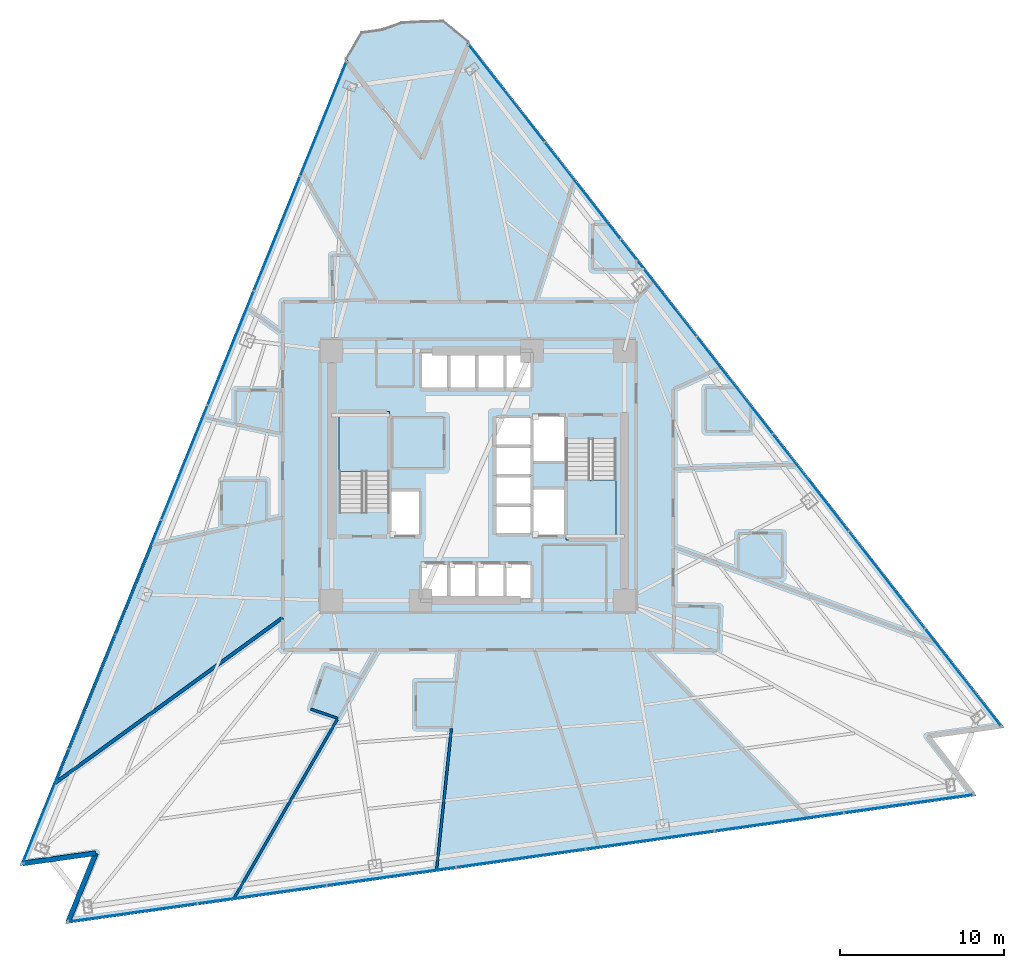
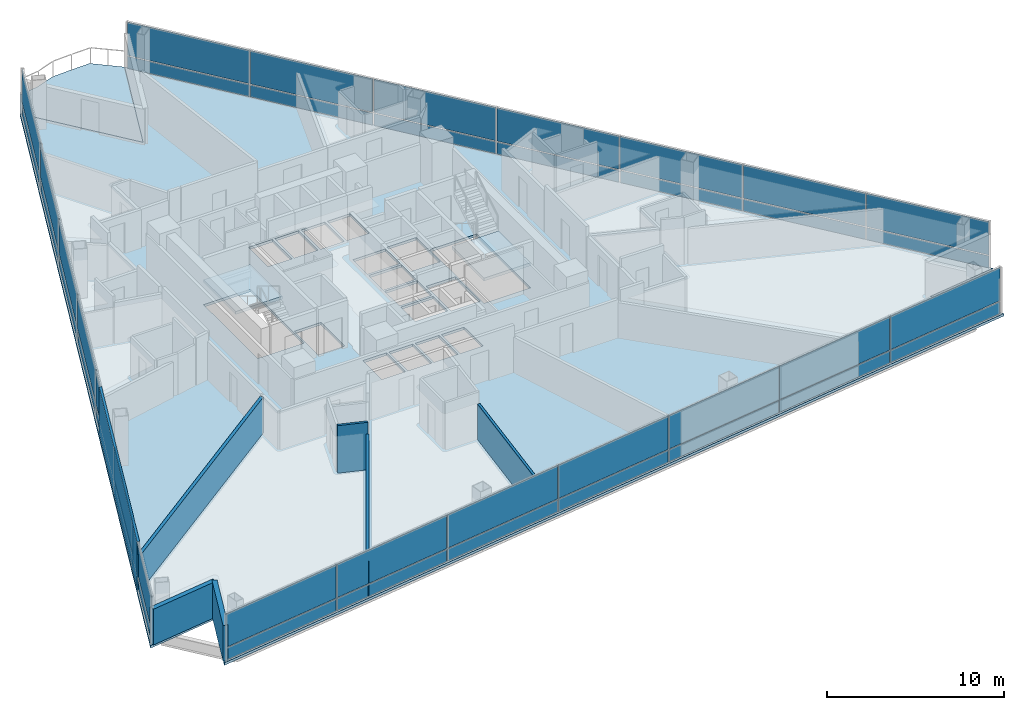
# One storey, part 6 of 15: 42 plates, 7 walls, 4 slabs, 5 elements without a shape of their own.
"""IFC4 building model written with IfcOpenShell, lengths in metres."""

from ifc_helpers import new_model, si_unit, direction, frame, frame_2d, origin, origin_2d, place, context, subcontext, project, spatial, polyline, rectangle, outline, extrude, material, layer, layer_set, type_object, element, aggregate, save


model = new_model("IFC4")

# Units and contexts
model_context = context("Model", 3, precision=1e-05, world=origin(), true_north=direction((0.0, 1.0)))
body_context = subcontext(model_context, "Body", "Model", "MODEL_VIEW")
ifc_project = project(units=[si_unit("LENGTHUNIT", "METRE"), si_unit("AREAUNIT", "SQUARE_METRE"), si_unit("VOLUMEUNIT", "CUBIC_METRE"), si_unit("PLANEANGLEUNIT", "RADIAN"), si_unit("MASSUNIT", "GRAM", prefix="KILO")], contexts=[model_context])

# Site, building, storey
site_placement = place(None, origin())
site = spatial("IfcSite", under=ifc_project, at=site_placement, CompositionType="ELEMENT")
building_placement = place(site_placement, origin())
building = spatial("IfcBuilding", under=site, at=building_placement, Name="Tharavind Bronze Gate", CompositionType="ELEMENT")
storey_placement = place(building_placement, frame((0.0, 0.0, 63.85009765625)))
storey = spatial("IfcBuildingStorey", under=building, at=storey_placement, Name="L15", CompositionType="ELEMENT", Elevation=63.85009765625)

# Curtain wall, plates
ifc_material_1 = material(Name="Anodised Bronze Aluminium", Category="aluminium")
ifc_layer_1 = layer(ifc_material_1, 0.219970703125)
ifc_layer_set_1 = layer_set([ifc_layer_1], Name="Anodised Bronze Aluminium")
curtain_wall_type = type_object("IfcCurtainWallType", Name="UNITISED CURTAIN WALL HOTEL", PredefinedType="USERDEFINED", material=ifc_layer_set_1)
curtain_wall_1_placement = place(storey_placement, origin())
curtain_wall_1 = element("IfcCurtainWall", 1, at=curtain_wall_1_placement, inside=storey, type_object=curtain_wall_type, Name="L15 unitised curtain wall hotel CW-L15-S1", ObjectType="UNITISED CURTAIN WALL", PredefinedType="USERDEFINED")
ifc_material_2 = material(Name="Patinated Bronze Alloy Sheet", Category="bronze")
ifc_layer_2 = layer(ifc_material_2, 0.01611328125)
ifc_layer_set_2 = layer_set([ifc_layer_2], Name="Patinated Bronze Alloy Sheet")
plate_type_1 = type_object("IfcPlateType", Name="BRONZE SPANDREL CLADDING PANEL 16", PredefinedType="CURTAIN_PANEL", material=ifc_layer_set_2)
plate_1_placement = place(storey_placement, frame((-9.408203125, 21.69921875, 0.033935546875), z_axis=(0.0, 0.0, 1.0), x_axis=(-0.374606593416, -0.927183854567, 0.0)))
plate_1 = element("IfcPlate", 2, at=plate_1_placement, type_object=plate_type_1, Name="CW-L15-S1 bronze spandrel panel 1", PredefinedType="CURTAIN_PANEL", context=body_context, shape_type="SweptSolid", body=[
    extrude(rectangle(XDim=7.447021484375, YDim=0.01611328125, at=origin_2d()), origin(), (0.0, 0.0, 1.0), 0.83203125),
])
plate_2_placement = place(storey_placement, frame((-12.223388671875, 14.731201171875, 0.033935546875), z_axis=(0.0, 0.0, 1.0), x_axis=(-0.374606593416, -0.927183854567, 0.0)))
plate_2 = element("IfcPlate", 3, at=plate_2_placement, type_object=plate_type_1, Name="CW-L15-S1 bronze spandrel panel 2", PredefinedType="CURTAIN_PANEL", context=body_context, shape_type="SweptSolid", body=[
    extrude(rectangle(XDim=7.447021484375, YDim=0.01611328125, at=origin_2d()), origin(), (0.0, 0.0, 1.0), 0.83203125),
])
plate_3_placement = place(storey_placement, frame((-15.038818359375, 7.763427734375, 0.033935546875), z_axis=(0.0, 0.0, 1.0), x_axis=(-0.374606593416, -0.927183854567, 0.0)))
plate_3 = element("IfcPlate", 4, at=plate_3_placement, type_object=plate_type_1, Name="CW-L15-S1 bronze spandrel panel 3", PredefinedType="CURTAIN_PANEL", context=body_context, shape_type="SweptSolid", body=[
    extrude(rectangle(XDim=7.447021484375, YDim=0.01611328125, at=origin_2d()), origin(), (0.0, 0.0, 1.0), 0.83203125),
])
plate_4_placement = place(storey_placement, frame((-17.85400390625, 0.795654296875, 0.033935546875), z_axis=(0.0, 0.0, 1.0), x_axis=(-0.374606593416, -0.927183854567, 0.0)))
plate_4 = element("IfcPlate", 5, at=plate_4_placement, type_object=plate_type_1, Name="CW-L15-S1 bronze spandrel panel 4", PredefinedType="CURTAIN_PANEL", context=body_context, shape_type="SweptSolid", body=[
    extrude(rectangle(XDim=7.447021484375, YDim=0.01611328125, at=origin_2d()), origin(), (0.0, 0.0, 1.0), 0.83203125),
])
plate_5_placement = place(storey_placement, frame((-20.669189453125, -6.17236328125, 0.033935546875), z_axis=(0.0, 0.0, 1.0), x_axis=(-0.374606593416, -0.927183854567, 0.0)))
plate_5 = element("IfcPlate", 6, at=plate_5_placement, type_object=plate_type_1, Name="CW-L15-S1 bronze spandrel panel 5", PredefinedType="CURTAIN_PANEL", context=body_context, shape_type="SweptSolid", body=[
    extrude(rectangle(XDim=7.447021484375, YDim=0.01611328125, at=origin_2d()), origin(), (0.0, 0.0, 1.0), 0.83203125),
])
plate_6_placement = place(storey_placement, frame((-23.484375, -13.14013671875, 0.033935546875), z_axis=(0.0, 0.0, 1.0), x_axis=(-0.374606593416, -0.927183854567, 0.0)))
plate_6 = element("IfcPlate", 7, at=plate_6_placement, type_object=plate_type_1, Name="CW-L15-S1 bronze spandrel panel 6", PredefinedType="CURTAIN_PANEL", context=body_context, shape_type="SweptSolid", body=[
    extrude(rectangle(XDim=7.447021484375, YDim=0.01611328125, at=origin_2d()), origin(), (0.0, 0.0, 1.0), 0.83203125),
])
plate_7_placement = place(storey_placement, frame((-26.299560546875, -20.10791015625, 0.033935546875), z_axis=(0.0, 0.0, 1.0), x_axis=(-0.374606593416, -0.927183854567, 0.0)))
plate_7 = element("IfcPlate", 8, at=plate_7_placement, type_object=plate_type_1, Name="CW-L15-S1 bronze spandrel panel 7", PredefinedType="CURTAIN_PANEL", context=body_context, shape_type="SweptSolid", body=[
    extrude(rectangle(XDim=7.447021484375, YDim=0.01611328125, at=origin_2d()), origin(), (0.0, 0.0, 1.0), 0.83203125),
])

curtain_wall_2_placement = place(storey_placement, origin())
curtain_wall_2 = element("IfcCurtainWall", 9, at=curtain_wall_2_placement, inside=storey, type_object=curtain_wall_type, Name="L15 unitised curtain wall hotel CW-L15-S2", ObjectType="UNITISED CURTAIN WALL", PredefinedType="USERDEFINED")
plate_8_placement = place(storey_placement, frame((-21.00341796875, -26.585205078125, 0.033935546875), z_axis=(0.0, 0.0, 1.0), x_axis=(0.990268068742, 0.13917310096, 0.0)))
plate_8 = element("IfcPlate", 10, at=plate_8_placement, type_object=plate_type_1, Name="CW-L15-S2 bronze spandrel panel 1", PredefinedType="CURTAIN_PANEL", context=body_context, shape_type="SweptSolid", body=[
    extrude(rectangle(XDim=7.87548828125, YDim=0.01611328125, at=origin_2d()), origin(), (0.0, 0.0, 1.0), 0.83203125),
])
plate_9_placement = place(storey_placement, frame((-13.13720703125, -25.4794921875, 0.033935546875), z_axis=(0.0, 0.0, 1.0), x_axis=(0.990268068742, 0.13917310096, 0.0)))
plate_9 = element("IfcPlate", 11, at=plate_9_placement, type_object=plate_type_1, Name="CW-L15-S2 bronze spandrel panel 2", PredefinedType="CURTAIN_PANEL", context=body_context, shape_type="SweptSolid", body=[
    extrude(rectangle(XDim=7.87548828125, YDim=0.01611328125, at=origin_2d()), origin(), (0.0, 0.0, 1.0), 0.83203125),
])
plate_10_placement = place(storey_placement, frame((-5.270751953125, -24.3740234375, 0.033935546875), z_axis=(0.0, 0.0, 1.0), x_axis=(0.990268068742, 0.13917310096, 0.0)))
plate_10 = element("IfcPlate", 12, at=plate_10_placement, type_object=plate_type_1, Name="CW-L15-S2 bronze spandrel panel 3", PredefinedType="CURTAIN_PANEL", context=body_context, shape_type="SweptSolid", body=[
    extrude(rectangle(XDim=7.87548828125, YDim=0.01611328125, at=origin_2d()), origin(), (0.0, 0.0, 1.0), 0.83203125),
])
plate_11_placement = place(storey_placement, frame((2.595703125, -23.2685546875, 0.033935546875), z_axis=(0.0, 0.0, 1.0), x_axis=(0.990268068742, 0.13917310096, 0.0)))
plate_11 = element("IfcPlate", 13, at=plate_11_placement, type_object=plate_type_1, Name="CW-L15-S2 bronze spandrel panel 4", PredefinedType="CURTAIN_PANEL", context=body_context, shape_type="SweptSolid", body=[
    extrude(rectangle(XDim=7.87548828125, YDim=0.01611328125, at=origin_2d()), origin(), (0.0, 0.0, 1.0), 0.83203125),
])
plate_12_placement = place(storey_placement, frame((10.4619140625, -22.1630859375, 0.033935546875), z_axis=(0.0, 0.0, 1.0), x_axis=(0.990268068742, 0.13917310096, 0.0)))
plate_12 = element("IfcPlate", 14, at=plate_12_placement, type_object=plate_type_1, Name="CW-L15-S2 bronze spandrel panel 5", PredefinedType="CURTAIN_PANEL", context=body_context, shape_type="SweptSolid", body=[
    extrude(rectangle(XDim=7.87548828125, YDim=0.01611328125, at=origin_2d()), origin(), (0.0, 0.0, 1.0), 0.83203125),
])
plate_13_placement = place(storey_placement, frame((18.328369140625, -21.057373046875, 0.033935546875), z_axis=(0.0, 0.0, 1.0), x_axis=(0.990268068742, 0.13917310096, 0.0)))
plate_13 = element("IfcPlate", 15, at=plate_13_placement, type_object=plate_type_1, Name="CW-L15-S2 bronze spandrel panel 6", PredefinedType="CURTAIN_PANEL", context=body_context, shape_type="SweptSolid", body=[
    extrude(rectangle(XDim=7.87548828125, YDim=0.01611328125, at=origin_2d()), origin(), (0.0, 0.0, 1.0), 0.83203125),
])
plate_14_placement = place(storey_placement, frame((26.194580078125, -19.951904296875, 0.033935546875), z_axis=(0.0, 0.0, 1.0), x_axis=(0.990268068742, 0.13917310096, 0.0)))
plate_14 = element("IfcPlate", 16, at=plate_14_placement, type_object=plate_type_1, Name="CW-L15-S2 bronze spandrel panel 7", PredefinedType="CURTAIN_PANEL", context=body_context, shape_type="SweptSolid", body=[
    extrude(rectangle(XDim=7.87548828125, YDim=0.01611328125, at=origin_2d()), origin(), (0.0, 0.0, 1.0), 0.83203125),
])

curtain_wall_3_placement = place(storey_placement, origin())
curtain_wall_3 = element("IfcCurtainWall", 17, at=curtain_wall_3_placement, inside=storey, type_object=curtain_wall_type, Name="L15 unitised curtain wall hotel CW-L15-S3", ObjectType="UNITISED CURTAIN WALL", PredefinedType="USERDEFINED")
plate_15_placement = place(storey_placement, frame((29.5, -12.265869140625, 0.033935546875), z_axis=(0.0, 0.0, 1.0), x_axis=(-0.615661475326, 0.788010753607, 0.0)))
plate_15 = element("IfcPlate", 18, at=plate_15_placement, type_object=plate_type_1, Name="CW-L15-S3 bronze spandrel panel 1", PredefinedType="CURTAIN_PANEL", context=body_context, shape_type="SweptSolid", body=[
    extrude(rectangle(XDim=7.447021484375, YDim=0.01611328125, at=origin_2d()), origin(), (0.0, 0.0, 1.0), 0.83203125),
])
plate_16_placement = place(storey_placement, frame((24.873291015625, -6.343994140625, 0.033935546875), z_axis=(0.0, 0.0, 1.0), x_axis=(-0.615661475326, 0.788010753607, 0.0)))
plate_16 = element("IfcPlate", 19, at=plate_16_placement, type_object=plate_type_1, Name="CW-L15-S3 bronze spandrel panel 2", PredefinedType="CURTAIN_PANEL", context=body_context, shape_type="SweptSolid", body=[
    extrude(rectangle(XDim=7.447021484375, YDim=0.01611328125, at=origin_2d()), origin(), (0.0, 0.0, 1.0), 0.83203125),
])
plate_17_placement = place(storey_placement, frame((20.24658203125, -0.421875, 0.033935546875), z_axis=(0.0, 0.0, 1.0), x_axis=(-0.615661475326, 0.788010753607, 0.0)))
plate_17 = element("IfcPlate", 20, at=plate_17_placement, type_object=plate_type_1, Name="CW-L15-S3 bronze spandrel panel 3", PredefinedType="CURTAIN_PANEL", context=body_context, shape_type="SweptSolid", body=[
    extrude(rectangle(XDim=7.447021484375, YDim=0.01611328125, at=origin_2d()), origin(), (0.0, 0.0, 1.0), 0.83203125),
])
plate_18_placement = place(storey_placement, frame((15.619873046875, 5.5, 0.033935546875), z_axis=(0.0, 0.0, 1.0), x_axis=(-0.615661475326, 0.788010753607, 0.0)))
plate_18 = element("IfcPlate", 21, at=plate_18_placement, type_object=plate_type_1, Name="CW-L15-S3 bronze spandrel panel 4", PredefinedType="CURTAIN_PANEL", context=body_context, shape_type="SweptSolid", body=[
    extrude(rectangle(XDim=7.447021484375, YDim=0.01611328125, at=origin_2d()), origin(), (0.0, 0.0, 1.0), 0.83203125),
])
plate_19_placement = place(storey_placement, frame((10.9931640625, 11.422119140625, 0.033935546875), z_axis=(0.0, 0.0, 1.0), x_axis=(-0.615661475326, 0.788010753607, 0.0)))
plate_19 = element("IfcPlate", 22, at=plate_19_placement, type_object=plate_type_1, Name="CW-L15-S3 bronze spandrel panel 5", PredefinedType="CURTAIN_PANEL", context=body_context, shape_type="SweptSolid", body=[
    extrude(rectangle(XDim=7.447021484375, YDim=0.01611328125, at=origin_2d()), origin(), (0.0, 0.0, 1.0), 0.83203125),
])
plate_20_placement = place(storey_placement, frame((6.366455078125, 17.343994140625, 0.033935546875), z_axis=(0.0, 0.0, 1.0), x_axis=(-0.615661475326, 0.788010753607, 0.0)))
plate_20 = element("IfcPlate", 23, at=plate_20_placement, type_object=plate_type_1, Name="CW-L15-S3 bronze spandrel panel 6", PredefinedType="CURTAIN_PANEL", context=body_context, shape_type="SweptSolid", body=[
    extrude(rectangle(XDim=7.447021484375, YDim=0.01611328125, at=origin_2d()), origin(), (0.0, 0.0, 1.0), 0.83203125),
])
plate_21_placement = place(storey_placement, frame((1.73974609375, 23.265869140625, 0.033935546875), z_axis=(0.0, 0.0, 1.0), x_axis=(-0.615661475326, 0.788010753607, 0.0)))
plate_21 = element("IfcPlate", 24, at=plate_21_placement, type_object=plate_type_1, Name="CW-L15-S3 bronze spandrel panel 7", PredefinedType="CURTAIN_PANEL", context=body_context, shape_type="SweptSolid", body=[
    extrude(rectangle(XDim=7.447021484375, YDim=0.01611328125, at=origin_2d()), origin(), (0.0, 0.0, 1.0), 0.83203125),
])

# Plate
ifc_material_3 = material(Name="Low-E Double Glazing", Category="glass")
ifc_layer_3 = layer(ifc_material_3, 0.031982421875)
ifc_layer_set_3 = layer_set([ifc_layer_3], Name="Low-E Double Glazing")
plate_type_2 = type_object("IfcPlateType", Name="DOUBLE GLAZED FACADE PANEL 32", PredefinedType="CURTAIN_PANEL", material=ifc_layer_set_3)
plate_22_placement = place(storey_placement, frame((-9.408203125, 21.69921875, 0.93408203125), z_axis=(0.0, 0.0, 1.0), x_axis=(-0.374606593416, -0.927183854567, 0.0)))
plate_22 = element("IfcPlate", 25, at=plate_22_placement, type_object=plate_type_2, Name="CW-L15-S1 vision glazing panel 1", PredefinedType="CURTAIN_PANEL", context=body_context, shape_type="SweptSolid", body=[
    extrude(rectangle(XDim=7.447021484375, YDim=0.031982421875, at=origin_2d()), origin(), (0.0, 0.0, 1.0), 2.306884765625),
])

plate_23_placement = place(storey_placement, frame((-12.223388671875, 14.731201171875, 0.93408203125), z_axis=(0.0, 0.0, 1.0), x_axis=(-0.374606593416, -0.927183854567, 0.0)))
plate_23 = element("IfcPlate", 26, at=plate_23_placement, type_object=plate_type_2, Name="CW-L15-S1 vision glazing panel 2", PredefinedType="CURTAIN_PANEL", context=body_context, shape_type="SweptSolid", body=[
    extrude(rectangle(XDim=7.447021484375, YDim=0.031982421875, at=origin_2d()), origin(), (0.0, 0.0, 1.0), 2.306884765625),
])

plate_24_placement = place(storey_placement, frame((-15.038818359375, 7.763427734375, 0.93408203125), z_axis=(0.0, 0.0, 1.0), x_axis=(-0.374606593416, -0.927183854567, 0.0)))
plate_24 = element("IfcPlate", 27, at=plate_24_placement, type_object=plate_type_2, Name="CW-L15-S1 vision glazing panel 3", PredefinedType="CURTAIN_PANEL", context=body_context, shape_type="SweptSolid", body=[
    extrude(rectangle(XDim=7.447021484375, YDim=0.031982421875, at=origin_2d()), origin(), (0.0, 0.0, 1.0), 2.306884765625),
])

plate_25_placement = place(storey_placement, frame((-17.85400390625, 0.795654296875, 0.93408203125), z_axis=(0.0, 0.0, 1.0), x_axis=(-0.374606593416, -0.927183854567, 0.0)))
plate_25 = element("IfcPlate", 28, at=plate_25_placement, type_object=plate_type_2, Name="CW-L15-S1 vision glazing panel 4", PredefinedType="CURTAIN_PANEL", context=body_context, shape_type="SweptSolid", body=[
    extrude(rectangle(XDim=7.447021484375, YDim=0.031982421875, at=origin_2d()), origin(), (0.0, 0.0, 1.0), 2.306884765625),
])

plate_26_placement = place(storey_placement, frame((-20.669189453125, -6.17236328125, 0.93408203125), z_axis=(0.0, 0.0, 1.0), x_axis=(-0.374606593416, -0.927183854567, 0.0)))
plate_26 = element("IfcPlate", 29, at=plate_26_placement, type_object=plate_type_2, Name="CW-L15-S1 vision glazing panel 5", PredefinedType="CURTAIN_PANEL", context=body_context, shape_type="SweptSolid", body=[
    extrude(rectangle(XDim=7.447021484375, YDim=0.031982421875, at=origin_2d()), origin(), (0.0, 0.0, 1.0), 2.306884765625),
])

plate_27_placement = place(storey_placement, frame((-23.484375, -13.14013671875, 0.93408203125), z_axis=(0.0, 0.0, 1.0), x_axis=(-0.374606593416, -0.927183854567, 0.0)))
plate_27 = element("IfcPlate", 30, at=plate_27_placement, type_object=plate_type_2, Name="CW-L15-S1 vision glazing panel 6", PredefinedType="CURTAIN_PANEL", context=body_context, shape_type="SweptSolid", body=[
    extrude(rectangle(XDim=7.447021484375, YDim=0.031982421875, at=origin_2d()), origin(), (0.0, 0.0, 1.0), 2.306884765625),
])

plate_28_placement = place(storey_placement, frame((-26.299560546875, -20.10791015625, 0.93408203125), z_axis=(0.0, 0.0, 1.0), x_axis=(-0.374606593416, -0.927183854567, 0.0)))
plate_28 = element("IfcPlate", 31, at=plate_28_placement, type_object=plate_type_2, Name="CW-L15-S1 vision glazing panel 7", PredefinedType="CURTAIN_PANEL", context=body_context, shape_type="SweptSolid", body=[
    extrude(rectangle(XDim=7.447021484375, YDim=0.031982421875, at=origin_2d()), origin(), (0.0, 0.0, 1.0), 2.306884765625),
])

aggregate(curtain_wall_1, [plate_1, plate_22, plate_2, plate_23, plate_3, plate_24, plate_4, plate_25, plate_5, plate_26, plate_6, plate_27, plate_7, plate_28])

plate_29_placement = place(storey_placement, frame((-21.00341796875, -26.585205078125, 0.93408203125), z_axis=(0.0, 0.0, 1.0), x_axis=(0.990268068742, 0.13917310096, 0.0)))
plate_29 = element("IfcPlate", 32, at=plate_29_placement, type_object=plate_type_2, Name="CW-L15-S2 vision glazing panel 1", PredefinedType="CURTAIN_PANEL", context=body_context, shape_type="SweptSolid", body=[
    extrude(rectangle(XDim=7.87548828125, YDim=0.031982421875, at=origin_2d()), origin(), (0.0, 0.0, 1.0), 2.306884765625),
])

plate_30_placement = place(storey_placement, frame((-13.13720703125, -25.4794921875, 0.93408203125), z_axis=(0.0, 0.0, 1.0), x_axis=(0.990268068742, 0.13917310096, 0.0)))
plate_30 = element("IfcPlate", 33, at=plate_30_placement, type_object=plate_type_2, Name="CW-L15-S2 vision glazing panel 2", PredefinedType="CURTAIN_PANEL", context=body_context, shape_type="SweptSolid", body=[
    extrude(rectangle(XDim=7.87548828125, YDim=0.031982421875, at=origin_2d()), origin(), (0.0, 0.0, 1.0), 2.306884765625),
])

plate_31_placement = place(storey_placement, frame((-5.270751953125, -24.3740234375, 0.93408203125), z_axis=(0.0, 0.0, 1.0), x_axis=(0.990268068742, 0.13917310096, 0.0)))
plate_31 = element("IfcPlate", 34, at=plate_31_placement, type_object=plate_type_2, Name="CW-L15-S2 vision glazing panel 3", PredefinedType="CURTAIN_PANEL", context=body_context, shape_type="SweptSolid", body=[
    extrude(rectangle(XDim=7.87548828125, YDim=0.031982421875, at=origin_2d()), origin(), (0.0, 0.0, 1.0), 2.306884765625),
])

plate_32_placement = place(storey_placement, frame((2.595703125, -23.2685546875, 0.93408203125), z_axis=(0.0, 0.0, 1.0), x_axis=(0.990268068742, 0.13917310096, 0.0)))
plate_32 = element("IfcPlate", 35, at=plate_32_placement, type_object=plate_type_2, Name="CW-L15-S2 vision glazing panel 4", PredefinedType="CURTAIN_PANEL", context=body_context, shape_type="SweptSolid", body=[
    extrude(rectangle(XDim=7.87548828125, YDim=0.031982421875, at=origin_2d()), origin(), (0.0, 0.0, 1.0), 2.306884765625),
])

plate_33_placement = place(storey_placement, frame((10.4619140625, -22.1630859375, 0.93408203125), z_axis=(0.0, 0.0, 1.0), x_axis=(0.990268068742, 0.13917310096, 0.0)))
plate_33 = element("IfcPlate", 36, at=plate_33_placement, type_object=plate_type_2, Name="CW-L15-S2 vision glazing panel 5", PredefinedType="CURTAIN_PANEL", context=body_context, shape_type="SweptSolid", body=[
    extrude(rectangle(XDim=7.87548828125, YDim=0.031982421875, at=origin_2d()), origin(), (0.0, 0.0, 1.0), 2.306884765625),
])

plate_34_placement = place(storey_placement, frame((18.328369140625, -21.057373046875, 0.93408203125), z_axis=(0.0, 0.0, 1.0), x_axis=(0.990268068742, 0.13917310096, 0.0)))
plate_34 = element("IfcPlate", 37, at=plate_34_placement, type_object=plate_type_2, Name="CW-L15-S2 vision glazing panel 6", PredefinedType="CURTAIN_PANEL", context=body_context, shape_type="SweptSolid", body=[
    extrude(rectangle(XDim=7.87548828125, YDim=0.031982421875, at=origin_2d()), origin(), (0.0, 0.0, 1.0), 2.306884765625),
])

plate_35_placement = place(storey_placement, frame((26.194580078125, -19.951904296875, 0.93408203125), z_axis=(0.0, 0.0, 1.0), x_axis=(0.990268068742, 0.13917310096, 0.0)))
plate_35 = element("IfcPlate", 38, at=plate_35_placement, type_object=plate_type_2, Name="CW-L15-S2 vision glazing panel 7", PredefinedType="CURTAIN_PANEL", context=body_context, shape_type="SweptSolid", body=[
    extrude(rectangle(XDim=7.87548828125, YDim=0.031982421875, at=origin_2d()), origin(), (0.0, 0.0, 1.0), 2.306884765625),
])

aggregate(curtain_wall_2, [plate_8, plate_29, plate_9, plate_30, plate_10, plate_31, plate_11, plate_32, plate_12, plate_33, plate_13, plate_34, plate_14, plate_35])

plate_36_placement = place(storey_placement, frame((29.5, -12.265869140625, 0.93408203125), z_axis=(0.0, 0.0, 1.0), x_axis=(-0.615661475326, 0.788010753607, 0.0)))
plate_36 = element("IfcPlate", 39, at=plate_36_placement, type_object=plate_type_2, Name="CW-L15-S3 vision glazing panel 1", PredefinedType="CURTAIN_PANEL", context=body_context, shape_type="SweptSolid", body=[
    extrude(rectangle(XDim=7.447021484375, YDim=0.031982421875, at=origin_2d()), origin(), (0.0, 0.0, 1.0), 2.306884765625),
])

plate_37_placement = place(storey_placement, frame((24.873291015625, -6.343994140625, 0.93408203125), z_axis=(0.0, 0.0, 1.0), x_axis=(-0.615661475326, 0.788010753607, 0.0)))
plate_37 = element("IfcPlate", 40, at=plate_37_placement, type_object=plate_type_2, Name="CW-L15-S3 vision glazing panel 2", PredefinedType="CURTAIN_PANEL", context=body_context, shape_type="SweptSolid", body=[
    extrude(rectangle(XDim=7.447021484375, YDim=0.031982421875, at=origin_2d()), origin(), (0.0, 0.0, 1.0), 2.306884765625),
])

plate_38_placement = place(storey_placement, frame((20.24658203125, -0.421875, 0.93408203125), z_axis=(0.0, 0.0, 1.0), x_axis=(-0.615661475326, 0.788010753607, 0.0)))
plate_38 = element("IfcPlate", 41, at=plate_38_placement, type_object=plate_type_2, Name="CW-L15-S3 vision glazing panel 3", PredefinedType="CURTAIN_PANEL", context=body_context, shape_type="SweptSolid", body=[
    extrude(rectangle(XDim=7.447021484375, YDim=0.031982421875, at=origin_2d()), origin(), (0.0, 0.0, 1.0), 2.306884765625),
])

plate_39_placement = place(storey_placement, frame((15.619873046875, 5.5, 0.93408203125), z_axis=(0.0, 0.0, 1.0), x_axis=(-0.615661475326, 0.788010753607, 0.0)))
plate_39 = element("IfcPlate", 42, at=plate_39_placement, type_object=plate_type_2, Name="CW-L15-S3 vision glazing panel 4", PredefinedType="CURTAIN_PANEL", context=body_context, shape_type="SweptSolid", body=[
    extrude(rectangle(XDim=7.447021484375, YDim=0.031982421875, at=origin_2d()), origin(), (0.0, 0.0, 1.0), 2.306884765625),
])

plate_40_placement = place(storey_placement, frame((10.9931640625, 11.422119140625, 0.93408203125), z_axis=(0.0, 0.0, 1.0), x_axis=(-0.615661475326, 0.788010753607, 0.0)))
plate_40 = element("IfcPlate", 43, at=plate_40_placement, type_object=plate_type_2, Name="CW-L15-S3 vision glazing panel 5", PredefinedType="CURTAIN_PANEL", context=body_context, shape_type="SweptSolid", body=[
    extrude(rectangle(XDim=7.447021484375, YDim=0.031982421875, at=origin_2d()), origin(), (0.0, 0.0, 1.0), 2.306884765625),
])

plate_41_placement = place(storey_placement, frame((6.366455078125, 17.343994140625, 0.93408203125), z_axis=(0.0, 0.0, 1.0), x_axis=(-0.615661475326, 0.788010753607, 0.0)))
plate_41 = element("IfcPlate", 44, at=plate_41_placement, type_object=plate_type_2, Name="CW-L15-S3 vision glazing panel 6", PredefinedType="CURTAIN_PANEL", context=body_context, shape_type="SweptSolid", body=[
    extrude(rectangle(XDim=7.447021484375, YDim=0.031982421875, at=origin_2d()), origin(), (0.0, 0.0, 1.0), 2.306884765625),
])

plate_42_placement = place(storey_placement, frame((1.73974609375, 23.265869140625, 0.93408203125), z_axis=(0.0, 0.0, 1.0), x_axis=(-0.615661475326, 0.788010753607, 0.0)))
plate_42 = element("IfcPlate", 45, at=plate_42_placement, type_object=plate_type_2, Name="CW-L15-S3 vision glazing panel 7", PredefinedType="CURTAIN_PANEL", context=body_context, shape_type="SweptSolid", body=[
    extrude(rectangle(XDim=7.447021484375, YDim=0.031982421875, at=origin_2d()), origin(), (0.0, 0.0, 1.0), 2.306884765625),
])

aggregate(curtain_wall_3, [plate_15, plate_36, plate_16, plate_37, plate_17, plate_38, plate_18, plate_39, plate_19, plate_40, plate_20, plate_41, plate_21, plate_42])

# Slab
ifc_material_4 = material(Name="Concrete C40/50", Category="concrete")
ifc_layer_4 = layer(ifc_material_4, 0.175048828125)
ifc_layer_set_4 = layer_set([ifc_layer_4], Name="Concrete C40/50")
slab_type_1 = type_object("IfcSlabType", Name="EXTERIOR BALCONY SLAB 175", PredefinedType="FLOOR", material=ifc_layer_set_4)
slab_1_placement = place(storey_placement, frame((0.0, 0.0, -0.175048828125)))
element("IfcSlab", 46, at=slab_1_placement, inside=storey, type_object=slab_type_1, Name="L15 northeast tree balcony slab", PredefinedType="FLOOR", context=body_context, shape_type="SweptSolid", body=[
    extrude(outline(polyline([(-2.13671875, 27.72412109375), (-3.39501953125, 27.6962890625), (-4.648681640625, 27.6337890625), (-5.85009765625, 27.2021484375), (-7.088134765625, 27.028076171875), (-8.028564453125, 25.381103515625), (-3.4111328125, 19.47119140625), (-0.6015625, 26.425048828125), (-2.13671875, 27.72412109375)])), origin(), (0.0, 0.0, 1.0), 0.175048828125),
])

# Stair, slab
stair_type = type_object("IfcStairType", Name="CORE HALF TURN STAIR 1450", PredefinedType="HALF_TURN_STAIR", material=ifc_material_4)
stair_1_placement = place(storey_placement, origin())
stair_1 = element("IfcStair", 47, at=stair_1_placement, inside=storey, type_object=stair_type, Name="L15 Protected Exit Stair ST1", PredefinedType="HALF_TURN_STAIR")
ifc_layer_5 = layer(ifc_material_4, 0.199951171875)
ifc_layer_set_5 = layer_set([ifc_layer_5], Name="Concrete C40/50")
slab_type_2 = type_object("IfcSlabType", Name="STAIR LANDING SLAB 200", PredefinedType="LANDING", material=ifc_layer_set_5)
slab_2_placement = place(storey_placement, frame((0.0, 0.0, 1.52490234375)))
slab_2 = element("IfcSlab", 48, at=slab_2_placement, type_object=slab_type_2, Name="ST1 landing 1", PredefinedType="LANDING", context=body_context, shape_type="SweptSolid", body=[
    extrude(outline(polyline([(-5.39990234375, 0.27001953125), (-5.39990234375, 3.89990234375), (-8.449951171875, 3.89990234375), (-8.449951171875, 0.27001953125), (-5.39990234375, 0.27001953125)])), origin(), (0.0, 0.0, 1.0), 0.199951171875),
])
aggregate(stair_1, [slab_2])

stair_2_placement = place(storey_placement, origin())
stair_2 = element("IfcStair", 49, at=stair_2_placement, inside=storey, type_object=stair_type, Name="L15 Protected Exit Stair ST2", PredefinedType="HALF_TURN_STAIR")
slab_3_placement = place(storey_placement, frame((0.0, 0.0, 1.52490234375)))
slab_3 = element("IfcSlab", 50, at=slab_3_placement, type_object=slab_type_2, Name="ST2 landing 1", PredefinedType="LANDING", context=body_context, shape_type="SweptSolid", body=[
    extrude(outline(polyline([(5.35009765625, -0.27001953125), (5.35009765625, -3.89990234375), (8.39990234375, -3.89990234375), (8.39990234375, -0.27001953125), (5.35009765625, -0.27001953125)])), origin(), (0.0, 0.0, 1.0), 0.199951171875),
])
aggregate(stair_2, [slab_3])

# Slab
ifc_layer_6 = layer(ifc_material_4, 0.175048828125)
ifc_layer_set_6 = layer_set([ifc_layer_6], Name="Concrete C40/50")
slab_type_3 = type_object("IfcSlabType", Name="STRUCTURAL FLOOR SLAB 175", PredefinedType="FLOOR", material=ifc_layer_set_6)
slab_4_placement = place(storey_placement, frame((0.0, 0.0, -0.175048828125)))
element("IfcSlab", 51, at=slab_4_placement, inside=storey, type_object=slab_type_3, Name="L15 main structural floor slab", PredefinedType="FLOOR", context=body_context, shape_type="SweptSolid", body=[
    extrude(outline(polyline([(-0.6015625, 26.425048828125), (-3.4111328125, 19.47119140625), (-8.028564453125, 25.381103515625), (-27.86474609375, -23.715087890625), (-23.408447265625, -23.088623046875), (-25.09423828125, -27.260986328125), (30.313232421875, -19.47412109375), (27.542724609375, -15.927978515625), (31.998779296875, -15.3017578125), (-0.6015625, 26.425048828125)]), holes=[polyline([(-5.39990234375, -2.215087890625), (-5.39990234375, 3.89990234375), (-8.449951171875, 3.89990234375), (-8.449951171875, -2.215087890625), (-5.39990234375, -2.215087890625)]), polyline([(5.35009765625, 2.215087890625), (5.35009765625, -3.89990234375), (8.39990234375, -3.89990234375), (8.39990234375, 2.215087890625), (5.35009765625, 2.215087890625)]), polyline([(-3.419921875, -7.52001953125), (-1.867431640625, -7.52001953125), (-1.867431640625, -5.3798828125), (-3.419921875, -5.3798828125), (-3.419921875, -7.52001953125)]), polyline([(-1.70751953125, -7.52001953125), (-0.155029296875, -7.52001953125), (-0.155029296875, -5.3798828125), (-1.70751953125, -5.3798828125), (-1.70751953125, -7.52001953125)]), polyline([(0.0048828125, -7.52001953125), (1.5576171875, -7.52001953125), (1.5576171875, -5.3798828125), (0.0048828125, -5.3798828125), (0.0048828125, -7.52001953125)]), polyline([(1.717529296875, -7.52001953125), (3.199951171875, -7.52001953125), (3.199951171875, -5.3798828125), (1.717529296875, -5.3798828125), (1.717529296875, -7.52001953125)]), polyline([(-3.419921875, 5.330078125), (-1.867431640625, 5.330078125), (-1.867431640625, 7.52001953125), (-3.419921875, 7.52001953125), (-3.419921875, 5.330078125)]), polyline([(-1.70751953125, 5.330078125), (-0.155029296875, 5.330078125), (-0.155029296875, 7.52001953125), (-1.70751953125, 7.52001953125), (-1.70751953125, 5.330078125)]), polyline([(0.0048828125, 5.330078125), (1.5576171875, 5.330078125), (1.5576171875, 7.52001953125), (0.0048828125, 7.52001953125), (0.0048828125, 5.330078125)]), polyline([(1.717529296875, 5.330078125), (3.199951171875, 5.330078125), (3.199951171875, 7.52001953125), (1.717529296875, 7.52001953125), (1.717529296875, 5.330078125)]), polyline([(1.080078125, -3.52001953125), (3.199951171875, -3.52001953125), (3.199951171875, -1.8798828125), (1.080078125, -1.8798828125), (1.080078125, -3.52001953125)]), polyline([(1.080078125, -1.719970703125), (3.199951171875, -1.719970703125), (3.199951171875, -0.080078125), (1.080078125, -0.080078125), (1.080078125, -1.719970703125)]), polyline([(1.080078125, 0.080078125), (3.199951171875, 0.080078125), (3.199951171875, 1.719970703125), (1.080078125, 1.719970703125), (1.080078125, 0.080078125)]), polyline([(1.080078125, 1.8798828125), (3.199951171875, 1.8798828125), (3.199951171875, 3.52001953125), (1.080078125, 3.52001953125), (1.080078125, 1.8798828125)]), polyline([(-5.320068359375, -3.6201171875), (-3.580078125, -3.6201171875), (-3.580078125, -0.929931640625), (-5.320068359375, -0.929931640625), (-5.320068359375, -3.6201171875)]), polyline([(3.360107421875, 0.8798828125), (5.27001953125, 0.8798828125), (5.27001953125, 3.6201171875), (3.360107421875, 3.6201171875), (3.360107421875, 0.8798828125)]), polyline([(3.360107421875, -3.6201171875), (5.27001953125, -3.6201171875), (5.27001953125, -0.830078125), (3.360107421875, -0.830078125), (3.360107421875, -3.6201171875)])]), origin(), (0.0, 0.0, 1.0), 0.175048828125),
])

# Walls
ifc_layer_7 = layer(ifc_material_4, 0.300048828125)
ifc_layer_set_7 = layer_set([ifc_layer_7], Name="Concrete C40/50")
wall_type_1 = type_object("IfcWallType", Name="EXTERIOR SPANDREL WALL 300", PredefinedType="STANDARD", material=ifc_layer_set_7)
wall_1_placement = place(storey_placement, frame((-27.70703125, -23.591796875, 0.0), z_axis=(0.0, 0.0, 1.0), x_axis=(0.990269200152, 0.139165050317, 0.0)))
element("IfcWall", 52, at=wall_1_placement, inside=storey, type_object=wall_type_1, Name="L15 notch cheek wall 2A", PredefinedType="STANDARD", context=body_context, shape_type="SweptSolid", body=[
    extrude(rectangle(XDim=4.499755859375, YDim=0.300048828125, at=frame_2d((2.25, 0.0))), origin(), (0.0, 0.0, 1.0), 2.469970703125),
])
wall_2_placement = place(storey_placement, frame((-23.2509765625, -22.965576171875, 0.0), z_axis=(0.0, 0.0, 1.0), x_axis=(-0.374568898324, -0.927199083481, 0.0)))
element("IfcWall", 53, at=wall_2_placement, inside=storey, type_object=wall_type_1, Name="L15 notch cheek wall 2B", PredefinedType="STANDARD", context=body_context, shape_type="SweptSolid", body=[
    extrude(rectangle(XDim=4.5, YDim=0.300048828125, at=frame_2d((2.25, 0.0))), origin(), (0.0, 0.0, 1.0), 2.469970703125),
])
ifc_material_5 = material(Name="Aerated Concrete Block", Category="concrete")
ifc_layer_8 = layer(ifc_material_5, 0.199951171875)
ifc_layer_set_8 = layer_set([ifc_layer_8], Name="Aerated Concrete Block")
wall_type_2 = type_object("IfcWallType", Name="FIRE RATED PARTITION 200", PredefinedType="PARTITIONING", material=ifc_layer_set_8)
wall_3_placement = place(storey_placement, frame((-11.890380859375, -8.638916015625, 0.0), z_axis=(0.0, 0.0, 1.0), x_axis=(-0.809020553383, -0.587780353706, 0.0)))
element("IfcWall", 54, at=wall_3_placement, inside=storey, type_object=wall_type_2, Name="L15 Public Restrooms Block partition", PredefinedType="PARTITIONING", context=body_context, shape_type="SweptSolid", body=[
    extrude(rectangle(XDim=17.103271484375, YDim=0.199951171875, at=frame_2d((8.5517578125, 0.0))), origin(), (0.0, 0.0, 1.0), 2.469970703125),
])
ifc_material_6 = material(Name="Twin Stud Acoustic Gypsum", Category="gypsum")
ifc_layer_9 = layer(ifc_material_6, 0.14990234375)
ifc_layer_set_9 = layer_set([ifc_layer_9], Name="Twin Stud Acoustic Gypsum")
wall_type_3 = type_object("IfcWallType", Name="INTERIOR PARTITION WALL 150", PredefinedType="PARTITIONING", material=ifc_layer_set_9)
wall_4_placement = place(storey_placement, frame((-8.522216796875, -14.760986328125, 0.0), z_axis=(0.0, 0.0, 1.0), x_axis=(-0.946713679558, 0.322076402329, 0.0)))
element("IfcWall", 55, at=wall_4_placement, inside=storey, type_object=wall_type_3, Name="L15 En-Suite Bathroom partition", PredefinedType="PARTITIONING", context=body_context, shape_type="SweptSolid", body=[
    extrude(rectangle(XDim=1.739013671875, YDim=0.14990234375, at=frame_2d((0.86962890625, 0.0))), origin(), (0.0, 0.0, 1.0), 3.27490234375),
])
wall_5_placement = place(storey_placement, frame((-25.6533203125, -18.50830078125, 0.0), z_axis=(0.0, 0.0, 1.0), x_axis=(0.37462120028, 0.927177952877, 0.0)))
element("IfcWall", 56, at=wall_5_placement, inside=storey, type_object=wall_type_3, Name="L15 Public Restrooms Block partition", PredefinedType="PARTITIONING", context=body_context, shape_type="SweptSolid", body=[
    extrude(rectangle(XDim=15.390625, YDim=0.14990234375, at=frame_2d((7.6953125, 0.0))), origin(), (0.0, 0.0, 1.0), 3.27490234375),
])
wall_6_placement = place(storey_placement, frame((-8.56298828125, -14.831787109375, 0.0), z_axis=(0.0, 0.0, 1.0), x_axis=(-0.500008475426, -0.86602051044, 0.0)))
element("IfcWall", 57, at=wall_6_placement, inside=storey, type_object=wall_type_3, Name="L15 Deluxe Hotel Suite partition", PredefinedType="PARTITIONING", context=body_context, shape_type="SweptSolid", body=[
    extrude(rectangle(XDim=12.560791015625, YDim=0.14990234375, at=frame_2d((6.2802734375, 0.0))), origin(), (0.0, 0.0, 1.0), 2.469970703125),
])
wall_7_placement = place(storey_placement, frame((-1.616455078125, -15.3798828125, 0.0), z_axis=(0.0, 0.0, 1.0), x_axis=(-0.104546448857, -0.994520004842, 0.0)))
element("IfcWall", 58, at=wall_7_placement, inside=storey, type_object=wall_type_3, Name="L15 Deluxe Hotel Suite partition", PredefinedType="PARTITIONING", context=body_context, shape_type="SweptSolid", body=[
    extrude(rectangle(XDim=8.6357421875, YDim=0.14990234375, at=frame_2d((4.31787109375, 0.0))), origin(), (0.0, 0.0, 1.0), 2.469970703125),
])

save(model, "model.ifc")
